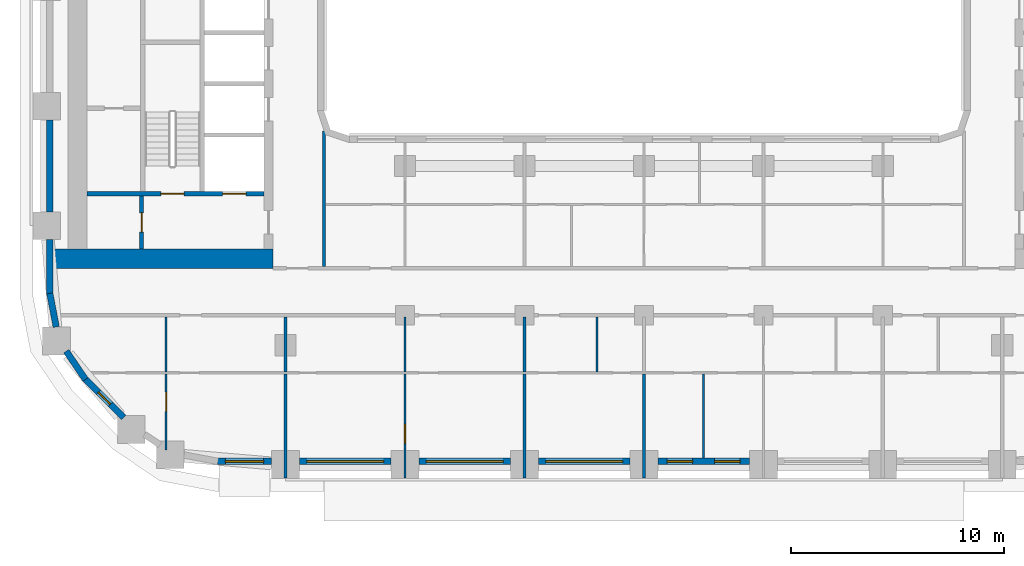
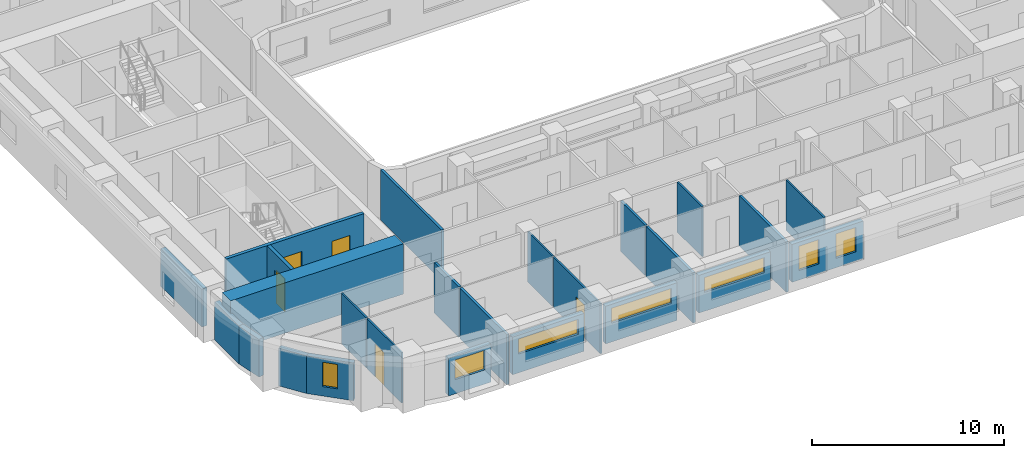
# One storey, part 2 of 21: 25 walls, 7 windows, 5 doors, 12 openings.
"""IFC4 building model written with IfcOpenShell, lengths in metres."""

from ifc_helpers import new_model, si_unit, direction, frame, frame_2d, origin, place, context, subcontext, project, spatial, rectangle, extrude, material, layer, layer_set, type_object, element, fill, save


model = new_model("IFC4")

# Units and contexts
model_context = context("Model", 3, precision=1e-05, world=origin(), true_north=direction((0.0, 1.0)))
body_context = subcontext(model_context, "Body", "Model", "MODEL_VIEW")
ifc_project = project(units=[si_unit("LENGTHUNIT", "METRE"), si_unit("AREAUNIT", "SQUARE_METRE"), si_unit("VOLUMEUNIT", "CUBIC_METRE"), si_unit("PLANEANGLEUNIT", "RADIAN"), si_unit("MASSUNIT", "GRAM", prefix="KILO")], contexts=[model_context])

# Site, building, storey
site_placement = place(None, origin())
site = spatial("IfcSite", under=ifc_project, at=site_placement, CompositionType="ELEMENT")
building_placement = place(site_placement, origin())
building = spatial("IfcBuilding", under=site, at=building_placement, Name="Kiln Ring Residences", CompositionType="ELEMENT")
storey_placement = place(building_placement, frame((0.0, 0.0, 93.800048828125)))
storey = spatial("IfcBuildingStorey", under=building, at=storey_placement, Name="L23", CompositionType="ELEMENT", Elevation=93.800048828125)

# Wall, opening, door
ifc_material_1 = material(Name="Gypsum board on steel studs", Category="steel")
ifc_layer_1 = layer(ifc_material_1, 0.199951171875)
ifc_layer_set_1 = layer_set([ifc_layer_1], Name="CORE-PARTITION-200")
wall_type_1 = type_object("IfcWallType", Name="CORE-PARTITION-200", PredefinedType="PARTITIONING", material=ifc_layer_set_1)
wall_1_placement = place(storey_placement, frame((-23.550048828125, -12.300048828125, 0.0), z_axis=(0.0, 0.0, 1.0), x_axis=(0.0, 1.0, 0.0)))
wall_1 = element("IfcWall", 1, at=wall_1_placement, inside=storey, type_object=wall_type_1, Name="Core partition west L23 4", PredefinedType="PARTITIONING", context=body_context, shape_type="SweptSolid", body=[
    extrude(rectangle(XDim=2.5, YDim=0.199951171875, at=frame_2d((1.25, 0.0))), origin(), (0.0, 0.0, 1.0), 3.199951171875),
])
opening_1_placement = place(wall_1_placement, frame((0.800048828125, 0.0, 0.0)))
opening_1 = element("IfcOpeningElement", 2, at=opening_1_placement, cuts=wall_1, Name="Opening L23-CW10", PredefinedType="OPENING", context=body_context, shape_type="SweptSolid", body=[
    extrude(rectangle(XDim=0.89990234375, YDim=2.10009765625, at=frame_2d((0.449951171875, 1.050048828125))), frame((0.0, 0.10986328125, 0.0), z_axis=(0.0, -1.0, 0.0), x_axis=(1.0, 0.0, 0.0)), (0.0, 0.0, 1.0), 0.219970703125),
])
ifc_material_2 = material(Name="Steel door leaf", Category="steel")
door_type_1 = type_object("IfcDoorType", Name="CORE-DOOR-ROOM", OperationType="SINGLE_SWING_LEFT", PredefinedType="DOOR", material=ifc_material_2)
door_1_placement = place(opening_1_placement, origin())
door_1 = element("IfcDoor", 3, at=door_1_placement, inside=storey, type_object=door_type_1, Name="Store L23-CW10", OperationType="SINGLE_SWING_RIGHT", OverallHeight=2.10009765625, OverallWidth=0.89990234375, PredefinedType="DOOR", context=body_context, shape_type="SweptSolid", body=[
    extrude(rectangle(XDim=0.89990234375, YDim=2.10009765625, at=frame_2d((0.449951171875, 1.050048828125))), frame((0.0, 0.02490234375, 0.0), z_axis=(0.0, -1.0, 0.0), x_axis=(1.0, 0.0, 0.0)), (0.0, 0.0, 1.0), 0.050048828125),
])
fill(opening_1, door_1)

# Wall, openings, doors
ifc_material_3 = material(Name="Concrete C40/50", Category="concrete")
ifc_layer_2 = layer(ifc_material_3, 0.199951171875)
ifc_layer_set_2 = layer_set([ifc_layer_2], Name="CORE-WALL-RC200")
wall_type_2 = type_object("IfcWallType", Name="CORE-WALL-RC200", PredefinedType="SHEAR", material=ifc_layer_set_2)
wall_2_placement = place(storey_placement, frame((-17.800048828125, -9.699951171875, 0.0), z_axis=(0.0, 0.0, 1.0), x_axis=(-1.0, 0.0, 0.0)))
wall_2 = element("IfcWall", 4, at=wall_2_placement, inside=storey, type_object=wall_type_2, Name="Core wall west L23 8", PredefinedType="SHEAR", context=body_context, shape_type="SweptSolid", body=[
    extrude(rectangle(XDim=8.300048828125, YDim=0.199951171875, at=frame_2d((4.14990234375, 0.0))), origin(), (0.0, 0.0, 1.0), 3.199951171875),
])
opening_2_placement = place(wall_2_placement, frame((0.85009765625, 0.0, 0.0)))
opening_2 = element("IfcOpeningElement", 5, at=opening_2_placement, cuts=wall_2, Name="Opening L23-CW01", PredefinedType="OPENING", context=body_context, shape_type="SweptSolid", body=[
    extrude(rectangle(XDim=1.10009765625, YDim=2.10009765625, at=frame_2d((0.550048828125, 1.050048828125))), frame((0.0, 0.10986328125, 0.0), z_axis=(0.0, -1.0, 0.0), x_axis=(1.0, 0.0, 0.0)), (0.0, 0.0, 1.0), 0.219970703125),
])
opening_3_placement = place(wall_2_placement, frame((3.75, 0.0, 0.0)))
opening_3 = element("IfcOpeningElement", 6, at=opening_3_placement, cuts=wall_2, Name="Opening L23-CW12", PredefinedType="OPENING", context=body_context, shape_type="SweptSolid", body=[
    extrude(rectangle(XDim=1.10009765625, YDim=2.10009765625, at=frame_2d((0.550048828125, 1.050048828125))), frame((0.0, 0.10986328125, 0.0), z_axis=(0.0, -1.0, 0.0), x_axis=(1.0, 0.0, 0.0)), (0.0, 0.0, 1.0), 0.219970703125),
])
ifc_material_4 = material(Name="Steel door leaf", Category="steel")
door_type_2 = type_object("IfcDoorType", Name="CORE-DOOR-LD", OperationType="DOUBLE_DOOR_SLIDING", PredefinedType="DOOR", material=ifc_material_4)
door_2_placement = place(opening_2_placement, origin())
door_2 = element("IfcDoor", 7, at=door_2_placement, inside=storey, type_object=door_type_2, Name="LD W-SV L23-CW01", OperationType="DOUBLE_DOOR_SLIDING", OverallHeight=2.10009765625, OverallWidth=1.10009765625, PredefinedType="DOOR", context=body_context, shape_type="SweptSolid", body=[
    extrude(rectangle(XDim=1.10009765625, YDim=2.10009765625, at=frame_2d((0.550048828125, 1.050048828125))), frame((0.0, 0.02490234375, 0.0), z_axis=(0.0, -1.0, 0.0), x_axis=(1.0, 0.0, 0.0)), (0.0, 0.0, 1.0), 0.050048828125),
])
fill(opening_2, door_2)
ifc_material_5 = material(Name="Steel door leaf", Category="steel")
door_type_3 = type_object("IfcDoorType", Name="CORE-DOOR-STAIR", OperationType="SINGLE_SWING_LEFT", PredefinedType="DOOR", material=ifc_material_5)
door_3_placement = place(opening_3_placement, origin())
door_3 = element("IfcDoor", 8, at=door_3_placement, inside=storey, type_object=door_type_3, Name="Stair W-STS L23-CW12", OperationType="SINGLE_SWING_LEFT", OverallHeight=2.10009765625, OverallWidth=1.10009765625, PredefinedType="DOOR", context=body_context, shape_type="SweptSolid", body=[
    extrude(rectangle(XDim=1.10009765625, YDim=2.10009765625, at=frame_2d((0.550048828125, 1.050048828125))), frame((0.0, 0.02490234375, 0.0), z_axis=(0.0, -1.0, 0.0), x_axis=(1.0, 0.0, 0.0)), (0.0, 0.0, 1.0), 0.050048828125),
])
fill(opening_3, door_3)

# Wall
ifc_material_6 = material(Name="Concrete C60/75", Category="concrete")
ifc_layer_3 = layer(ifc_material_6, 0.89990234375)
ifc_layer_set_3 = layer_set([ifc_layer_3], Name="CORE-WALL-RC900")
wall_type_3 = type_object("IfcWallType", Name="CORE-WALL-RC900", PredefinedType="SHEAR", material=ifc_layer_set_3)
wall_3_placement = place(storey_placement, frame((-17.39990234375, -12.75, 0.0), z_axis=(0.0, 0.0, 1.0), x_axis=(-1.0, 0.0, 0.0)))
element("IfcWall", 9, at=wall_3_placement, inside=storey, type_object=wall_type_3, Name="Core wall west L23 5", PredefinedType="SHEAR", context=body_context, shape_type="SweptSolid", body=[
    extrude(rectangle(XDim=10.400146484375, YDim=0.89990234375, at=frame_2d((5.2001953125, 0.0))), origin(), (0.0, 0.0, 1.0), 3.199951171875),
])

# Wall, opening, window
ifc_material_7 = material(Name="Brick masonry, dark clay brick", Category="masonry")
ifc_layer_4 = layer(ifc_material_7, 0.300048828125)
ifc_layer_set_4 = layer_set([ifc_layer_4], Name="EW-300 BRICK WALL")
wall_type_4 = type_object("IfcWallType", Name="EW-300 BRICK WALL", PredefinedType="SOLIDWALL", material=ifc_layer_set_4)
wall_4_placement = place(storey_placement, frame((-26.19677734375, -18.390869140625, 0.0), z_axis=(0.0, 0.0, 1.0), x_axis=(0.707058908279, -0.707154650853, 0.0)))
wall_4 = element("IfcWall", 10, at=wall_4_placement, inside=storey, type_object=wall_type_4, Name="Facade wall L23 1", PredefinedType="SOLIDWALL", context=body_context, shape_type="SweptSolid", body=[
    extrude(rectangle(XDim=2.550048828125, YDim=0.300048828125, at=frame_2d((1.27490234375, 0.0))), origin(), (0.0, 0.0, 1.0), 2.39990234375),
])
opening_4_placement = place(wall_4_placement, frame((0.875, 0.0, 0.60009765625)))
opening_4 = element("IfcOpeningElement", 11, at=opening_4_placement, cuts=wall_4, Name="Opening W5", PredefinedType="OPENING", context=body_context, shape_type="SweptSolid", body=[
    extrude(rectangle(XDim=0.800048828125, YDim=1.550048828125, at=frame_2d((0.39990234375, 0.77490234375))), frame((0.0, 0.159912109375, 0.0), z_axis=(0.0, -1.0, 0.0), x_axis=(1.0, 0.0, 0.0)), (0.0, 0.0, 1.0), 0.320068359375),
])
ifc_material_8 = material(Name="Aluminium frame with double glazing", Category="aluminium")
window_type_1 = type_object("IfcWindowType", Name="WINDOW 800 x 1550", PartitioningType="SINGLE_PANEL", PredefinedType="WINDOW", material=ifc_material_8)
window_1_placement = place(opening_4_placement, origin())
window_1 = element("IfcWindow", 12, at=window_1_placement, inside=storey, type_object=window_type_1, Name="Window L23 1", OverallHeight=1.550048828125, OverallWidth=0.800048828125, PartitioningType="SINGLE_PANEL", PredefinedType="WINDOW", context=body_context, shape_type="SweptSolid", body=[
    extrude(rectangle(XDim=0.800048828125, YDim=1.550048828125, at=frame_2d((0.39990234375, 0.77490234375))), frame((0.0, 0.030029296875, 0.0), z_axis=(0.0, -1.0, 0.0), x_axis=(1.0, 0.0, 0.0)), (0.0, 0.0, 1.0), 0.06005859375),
])
fill(opening_4, window_1)

wall_5_placement = place(storey_placement, frame((-20.0, -22.25, 0.0), z_axis=(0.0, 0.0, 1.0), x_axis=(1.0, 0.0, 0.0)))
wall_5 = element("IfcWall", 13, at=wall_5_placement, inside=storey, type_object=wall_type_4, Name="Facade wall L23 4", PredefinedType="SOLIDWALL", context=body_context, shape_type="SweptSolid", body=[
    extrude(rectangle(XDim=2.550048828125, YDim=0.300048828125, at=frame_2d((1.27490234375, 0.0))), origin(), (0.0, 0.0, 1.0), 2.39990234375),
])
opening_5_placement = place(wall_5_placement, frame((0.375, 0.0, 0.89990234375)))
opening_5 = element("IfcOpeningElement", 14, at=opening_5_placement, cuts=wall_5, Name="Opening W2", PredefinedType="OPENING", context=body_context, shape_type="SweptSolid", body=[
    extrude(rectangle(XDim=1.800048828125, YDim=1.25, at=frame_2d((0.89990234375, 0.625))), frame((0.0, 0.159912109375, 0.0), z_axis=(0.0, -1.0, 0.0), x_axis=(1.0, 0.0, 0.0)), (0.0, 0.0, 1.0), 0.320068359375),
])
ifc_material_9 = material(Name="Aluminium frame with double glazing", Category="aluminium")
window_type_2 = type_object("IfcWindowType", Name="WINDOW 1800 x 1250", PartitioningType="SINGLE_PANEL", PredefinedType="WINDOW", material=ifc_material_9)
window_2_placement = place(opening_5_placement, origin())
window_2 = element("IfcWindow", 15, at=window_2_placement, inside=storey, type_object=window_type_2, Name="Window L23 2", OverallHeight=1.25, OverallWidth=1.800048828125, PartitioningType="SINGLE_PANEL", PredefinedType="WINDOW", context=body_context, shape_type="SweptSolid", body=[
    extrude(rectangle(XDim=1.800048828125, YDim=1.25, at=frame_2d((0.89990234375, 0.625))), frame((0.0, 0.030029296875, 0.0), z_axis=(0.0, -1.0, 0.0), x_axis=(1.0, 0.0, 0.0)), (0.0, 0.0, 1.0), 0.06005859375),
])
fill(opening_5, window_2)

wall_6_placement = place(storey_placement, frame((-16.14990234375, -22.25, 0.0), z_axis=(0.0, 0.0, 1.0), x_axis=(1.0, 0.0, 0.0)))
wall_6 = element("IfcWall", 16, at=wall_6_placement, inside=storey, type_object=wall_type_4, Name="Facade wall L23 5", PredefinedType="SOLIDWALL", context=body_context, shape_type="SweptSolid", body=[
    extrude(rectangle(XDim=4.2998046875, YDim=0.300048828125, at=frame_2d((2.14990234375, 0.0))), origin(), (0.0, 0.0, 1.0), 2.39990234375),
])
opening_6_placement = place(wall_6_placement, frame((0.35009765625, 0.0, 1.199951171875)))
opening_6 = element("IfcOpeningElement", 17, at=opening_6_placement, cuts=wall_6, Name="Opening W4", PredefinedType="OPENING", context=body_context, shape_type="SweptSolid", body=[
    extrude(rectangle(XDim=3.60009765625, YDim=0.949951171875, at=frame_2d((1.800048828125, 0.47509765625))), frame((0.0, 0.159912109375, 0.0), z_axis=(0.0, -1.0, 0.0), x_axis=(1.0, 0.0, 0.0)), (0.0, 0.0, 1.0), 0.320068359375),
])
ifc_material_10 = material(Name="Aluminium frame with double glazing", Category="aluminium")
window_type_3 = type_object("IfcWindowType", Name="WINDOW 3600 x 950", PartitioningType="SINGLE_PANEL", PredefinedType="WINDOW", material=ifc_material_10)
window_3_placement = place(opening_6_placement, origin())
window_3 = element("IfcWindow", 18, at=window_3_placement, inside=storey, type_object=window_type_3, Name="Window L23 3", OverallHeight=0.949951171875, OverallWidth=3.60009765625, PartitioningType="SINGLE_PANEL", PredefinedType="WINDOW", context=body_context, shape_type="SweptSolid", body=[
    extrude(rectangle(XDim=3.60009765625, YDim=0.949951171875, at=frame_2d((1.800048828125, 0.47509765625))), frame((0.0, 0.030029296875, 0.0), z_axis=(0.0, -1.0, 0.0), x_axis=(1.0, 0.0, 0.0)), (0.0, 0.0, 1.0), 0.06005859375),
])
fill(opening_6, window_3)

wall_7_placement = place(storey_placement, frame((-10.550048828125, -22.25, 0.0), z_axis=(0.0, 0.0, 1.0), x_axis=(1.0, 0.0, 0.0)))
wall_7 = element("IfcWall", 19, at=wall_7_placement, inside=storey, type_object=wall_type_4, Name="Facade wall L23 6", PredefinedType="SOLIDWALL", context=body_context, shape_type="SweptSolid", body=[
    extrude(rectangle(XDim=4.300048828125, YDim=0.300048828125, at=frame_2d((2.14990234375, 0.0))), origin(), (0.0, 0.0, 1.0), 2.39990234375),
])
opening_7_placement = place(wall_7_placement, frame((0.35009765625, 0.0, 1.199951171875)))
opening_7 = element("IfcOpeningElement", 20, at=opening_7_placement, cuts=wall_7, Name="Opening W4", PredefinedType="OPENING", context=body_context, shape_type="SweptSolid", body=[
    extrude(rectangle(XDim=3.60009765625, YDim=0.949951171875, at=frame_2d((1.800048828125, 0.47509765625))), frame((0.0, 0.159912109375, 0.0), z_axis=(0.0, -1.0, 0.0), x_axis=(1.0, 0.0, 0.0)), (0.0, 0.0, 1.0), 0.320068359375),
])
window_4_placement = place(opening_7_placement, origin())
window_4 = element("IfcWindow", 21, at=window_4_placement, inside=storey, type_object=window_type_3, Name="Window L23 4", OverallHeight=0.949951171875, OverallWidth=3.60009765625, PartitioningType="SINGLE_PANEL", PredefinedType="WINDOW", context=body_context, shape_type="SweptSolid", body=[
    extrude(rectangle(XDim=3.60009765625, YDim=0.949951171875, at=frame_2d((1.800048828125, 0.47509765625))), frame((0.0, 0.030029296875, 0.0), z_axis=(0.0, -1.0, 0.0), x_axis=(1.0, 0.0, 0.0)), (0.0, 0.0, 1.0), 0.06005859375),
])
fill(opening_7, window_4)

wall_8_placement = place(storey_placement, frame((-4.949951171875, -22.25, 0.0), z_axis=(0.0, 0.0, 1.0), x_axis=(1.0, 0.0, 0.0)))
wall_8 = element("IfcWall", 22, at=wall_8_placement, inside=storey, type_object=wall_type_4, Name="Facade wall L23 7", PredefinedType="SOLIDWALL", context=body_context, shape_type="SweptSolid", body=[
    extrude(rectangle(XDim=4.300048828125, YDim=0.300048828125, at=frame_2d((2.14990234375, 0.0))), origin(), (0.0, 0.0, 1.0), 2.39990234375),
])
opening_8_placement = place(wall_8_placement, frame((0.35009765625, 0.0, 1.199951171875)))
opening_8 = element("IfcOpeningElement", 23, at=opening_8_placement, cuts=wall_8, Name="Opening W4", PredefinedType="OPENING", context=body_context, shape_type="SweptSolid", body=[
    extrude(rectangle(XDim=3.60009765625, YDim=0.949951171875, at=frame_2d((1.800048828125, 0.47509765625))), frame((0.0, 0.159912109375, 0.0), z_axis=(0.0, -1.0, 0.0), x_axis=(1.0, 0.0, 0.0)), (0.0, 0.0, 1.0), 0.320068359375),
])
window_5_placement = place(opening_8_placement, origin())
window_5 = element("IfcWindow", 24, at=window_5_placement, inside=storey, type_object=window_type_3, Name="Window L23 5", OverallHeight=0.949951171875, OverallWidth=3.60009765625, PartitioningType="SINGLE_PANEL", PredefinedType="WINDOW", context=body_context, shape_type="SweptSolid", body=[
    extrude(rectangle(XDim=3.60009765625, YDim=0.949951171875, at=frame_2d((1.800048828125, 0.47509765625))), frame((0.0, 0.030029296875, 0.0), z_axis=(0.0, -1.0, 0.0), x_axis=(1.0, 0.0, 0.0)), (0.0, 0.0, 1.0), 0.06005859375),
])
fill(opening_8, window_5)

# Wall, openings, windows
wall_9_placement = place(storey_placement, frame((0.64990234375, -22.25, 0.0), z_axis=(0.0, 0.0, 1.0), x_axis=(1.0, 0.0, 0.0)))
wall_9 = element("IfcWall", 25, at=wall_9_placement, inside=storey, type_object=wall_type_4, Name="Facade wall L23 8", PredefinedType="SOLIDWALL", context=body_context, shape_type="SweptSolid", body=[
    extrude(rectangle(XDim=4.300048828125, YDim=0.300048828125, at=frame_2d((2.14990234375, 0.0))), origin(), (0.0, 0.0, 1.0), 2.39990234375),
])
opening_9_placement = place(wall_9_placement, frame((0.4375, 0.0, 0.60009765625)))
opening_9 = element("IfcOpeningElement", 26, at=opening_9_placement, cuts=wall_9, Name="Opening W1", PredefinedType="OPENING", context=body_context, shape_type="SweptSolid", body=[
    extrude(rectangle(XDim=1.199951171875, YDim=1.550048828125, at=frame_2d((0.60009765625, 0.77490234375))), frame((0.0, 0.159912109375, 0.0), z_axis=(0.0, -1.0, 0.0), x_axis=(1.0, 0.0, 0.0)), (0.0, 0.0, 1.0), 0.320068359375),
])
opening_10_placement = place(wall_9_placement, frame((2.66259765625, 0.0, 0.60009765625)))
opening_10 = element("IfcOpeningElement", 27, at=opening_10_placement, cuts=wall_9, Name="Opening W1", PredefinedType="OPENING", context=body_context, shape_type="SweptSolid", body=[
    extrude(rectangle(XDim=1.199951171875, YDim=1.550048828125, at=frame_2d((0.60009765625, 0.77490234375))), frame((0.0, 0.159912109375, 0.0), z_axis=(0.0, -1.0, 0.0), x_axis=(1.0, 0.0, 0.0)), (0.0, 0.0, 1.0), 0.320068359375),
])
ifc_material_11 = material(Name="Aluminium frame with double glazing", Category="aluminium")
window_type_4 = type_object("IfcWindowType", Name="WINDOW 1200 x 1550", PartitioningType="SINGLE_PANEL", PredefinedType="WINDOW", material=ifc_material_11)
window_6_placement = place(opening_9_placement, origin())
window_6 = element("IfcWindow", 28, at=window_6_placement, inside=storey, type_object=window_type_4, Name="Window L23 6", OverallHeight=1.550048828125, OverallWidth=1.199951171875, PartitioningType="SINGLE_PANEL", PredefinedType="WINDOW", context=body_context, shape_type="SweptSolid", body=[
    extrude(rectangle(XDim=1.199951171875, YDim=1.550048828125, at=frame_2d((0.60009765625, 0.77490234375))), frame((0.0, 0.030029296875, 0.0), z_axis=(0.0, -1.0, 0.0), x_axis=(1.0, 0.0, 0.0)), (0.0, 0.0, 1.0), 0.06005859375),
])
fill(opening_9, window_6)
window_7_placement = place(opening_10_placement, origin())
window_7 = element("IfcWindow", 29, at=window_7_placement, inside=storey, type_object=window_type_4, Name="Window L23 7", OverallHeight=1.550048828125, OverallWidth=1.199951171875, PartitioningType="SINGLE_PANEL", PredefinedType="WINDOW", context=body_context, shape_type="SweptSolid", body=[
    extrude(rectangle(XDim=1.199951171875, YDim=1.550048828125, at=frame_2d((0.60009765625, 0.77490234375))), frame((0.0, 0.030029296875, 0.0), z_axis=(0.0, -1.0, 0.0), x_axis=(1.0, 0.0, 0.0)), (0.0, 0.0, 1.0), 0.06005859375),
])
fill(opening_10, window_7)

# Walls
wall_10_placement = place(storey_placement, frame((-27.85009765625, -6.25, 0.0), z_axis=(0.0, 0.0, 1.0), x_axis=(0.0, -1.0, 0.0)))
element("IfcWall", 30, at=wall_10_placement, inside=storey, type_object=wall_type_4, Name="Facade wall L23 45", PredefinedType="SOLIDWALL", context=body_context, shape_type="SweptSolid", body=[
    extrude(rectangle(XDim=4.300048828125, YDim=0.300048828125, at=frame_2d((2.14990234375, 0.0))), origin(), (0.0, 0.0, 1.0), 2.39990234375),
])
wall_11_placement = place(storey_placement, frame((-27.85009765625, -11.85009765625, 0.0), z_axis=(0.0, 0.0, 1.0), x_axis=(0.0, -1.0, 0.0)))
element("IfcWall", 31, at=wall_11_placement, inside=storey, type_object=wall_type_4, Name="Facade wall L23 46", PredefinedType="SOLIDWALL", context=body_context, shape_type="SweptSolid", body=[
    extrude(rectangle(XDim=2.5498046875, YDim=0.300048828125, at=frame_2d((1.27490234375, 0.0))), origin(), (0.0, 0.0, 1.0), 2.39990234375),
])
for number, where, z_axis, x_axis, name in (
    (32, (-27.8525390625, -14.371826171875, 0.0), (0.0, 0.0, 1.0), (0.187279751651, -0.982306619453, 0.0), "Facade wall L23 47"),
    (33, (-27.08154296875, -17.08447265625, 0.0), (0.0, 0.0, 1.0), (0.562010605531, -0.827130025613, 0.0), "Facade wall L23 48"),
):
    element("IfcWall", number, at=place(storey_placement, frame(where, z_axis=z_axis, x_axis=x_axis)), inside=storey, type_object=wall_type_4, Name=name, PredefinedType="SOLIDWALL", context=body_context, shape_type="SweptSolid", body=[
        extrude(rectangle(XDim=1.60595703125, YDim=0.300048828125, at=frame_2d((0.802978515625, 0.0))), origin(), (0.0, 0.0, 1.0), 2.39990234375),
    ])

# Wall, opening, door
ifc_material_12 = material(Name="Gypsum board on steel studs", Category="steel")
ifc_layer_5 = layer(ifc_material_12, 0.10009765625)
ifc_layer_set_5 = layer_set([ifc_layer_5], Name="PARTITION-100")
wall_type_5 = type_object("IfcWallType", Name="PARTITION-100", PredefinedType="PARTITIONING", material=ifc_layer_set_5)
wall_12_placement = place(storey_placement, frame((-22.39990234375, -21.719970703125, 0.0), z_axis=(0.0, 0.0, 1.0), x_axis=(0.0, 1.0, 0.0)))
wall_12 = element("IfcWall", 34, at=wall_12_placement, inside=storey, type_object=wall_type_5, Name="Partition 008", PredefinedType="PARTITIONING", context=body_context, shape_type="SweptSolid", body=[
    extrude(rectangle(XDim=3.570068359375, YDim=0.10009765625, at=frame_2d((1.78515625, 0.0))), origin(), (0.0, 0.0, 1.0), 3.199951171875),
])
opening_11_placement = place(wall_12_placement, frame((1.820068359375, 0.0, 0.0)))
opening_11 = element("IfcOpeningElement", 35, at=opening_11_placement, cuts=wall_12, Name="Opening L23-D060", PredefinedType="OPENING", context=body_context, shape_type="SweptSolid", body=[
    extrude(rectangle(XDim=0.89990234375, YDim=2.10009765625, at=frame_2d((0.449951171875, 1.050048828125))), frame((0.0, 0.06005859375, 0.0), z_axis=(0.0, -1.0, 0.0), x_axis=(1.0, 0.0, 0.0)), (0.0, 0.0, 1.0), 0.1201171875),
])
ifc_material_13 = material(Name="Timber door leaf", Category="wood")
door_type_4 = type_object("IfcDoorType", Name="FLAT-DOOR-900-PL", OperationType="SINGLE_SWING_LEFT", PredefinedType="DOOR", material=ifc_material_13)
door_4_placement = place(opening_11_placement, origin())
door_4 = element("IfcDoor", 36, at=door_4_placement, inside=storey, type_object=door_type_4, Name="Door L23-D060", OperationType="SINGLE_SWING_LEFT", OverallHeight=2.10009765625, OverallWidth=0.89990234375, PredefinedType="DOOR", context=body_context, shape_type="SweptSolid", body=[
    extrude(rectangle(XDim=0.89990234375, YDim=2.10009765625, at=frame_2d((0.449951171875, 1.050048828125))), frame((0.0, 0.02490234375, 0.0), z_axis=(0.0, -1.0, 0.0), x_axis=(1.0, 0.0, 0.0)), (0.0, 0.0, 1.0), 0.050048828125),
])
fill(opening_11, door_4)

# Wall
wall_13_placement = place(storey_placement, frame((-22.39990234375, -18.050048828125, 0.0), z_axis=(0.0, 0.0, 1.0), x_axis=(0.0, 1.0, 0.0)))
element("IfcWall", 37, at=wall_13_placement, inside=storey, type_object=wall_type_5, Name="Partition 009", PredefinedType="PARTITIONING", context=body_context, shape_type="SweptSolid", body=[
    extrude(rectangle(XDim=2.574951171875, YDim=0.10009765625, at=frame_2d((1.28759765625, 0.0))), origin(), (0.0, 0.0, 1.0), 3.199951171875),
])

# Wall, opening, door
wall_14_placement = place(storey_placement, frame((-11.199951171875, -23.030029296875, 0.0), z_axis=(0.0, 0.0, 1.0), x_axis=(0.0, 1.0, 0.0)))
wall_14 = element("IfcWall", 38, at=wall_14_placement, inside=storey, type_object=wall_type_5, Name="Partition 019", PredefinedType="PARTITIONING", context=body_context, shape_type="SweptSolid", body=[
    extrude(rectangle(XDim=4.880126953125, YDim=0.10009765625, at=frame_2d((2.43994140625, 0.0))), origin(), (0.0, 0.0, 1.0), 3.199951171875),
])
opening_12_placement = place(wall_14_placement, frame((1.6298828125, 0.0, 0.0)))
opening_12 = element("IfcOpeningElement", 39, at=opening_12_placement, cuts=wall_14, Name="Opening L23-D064", PredefinedType="OPENING", context=body_context, shape_type="SweptSolid", body=[
    extrude(rectangle(XDim=0.89990234375, YDim=2.10009765625, at=frame_2d((0.449951171875, 1.050048828125))), frame((0.0, 0.06005859375, 0.0), z_axis=(0.0, -1.0, 0.0), x_axis=(1.0, 0.0, 0.0)), (0.0, 0.0, 1.0), 0.1201171875),
])
door_5_placement = place(opening_12_placement, origin())
door_5 = element("IfcDoor", 40, at=door_5_placement, inside=storey, type_object=door_type_4, Name="Door L23-D064", OperationType="SINGLE_SWING_RIGHT", OverallHeight=2.10009765625, OverallWidth=0.89990234375, PredefinedType="DOOR", context=body_context, shape_type="SweptSolid", body=[
    extrude(rectangle(XDim=0.89990234375, YDim=2.10009765625, at=frame_2d((0.449951171875, 1.050048828125))), frame((0.0, 0.02490234375, 0.0), z_axis=(0.0, -1.0, 0.0), x_axis=(1.0, 0.0, 0.0)), (0.0, 0.0, 1.0), 0.050048828125),
])
fill(opening_12, door_5)

# Walls
for number, where, z_axis, x_axis, name in (
    (41, (-11.199951171875, -18.050048828125, 0.0), (0.0, 0.0, 1.0), (0.0, 1.0, 0.0), "Partition 020"),
    (42, (-2.199951171875, -18.050048828125, 0.0), (0.0, 0.0, 1.0), (0.0, 1.0, 0.0), "Partition 039"),
):
    element("IfcWall", number, at=place(storey_placement, frame(where, z_axis=z_axis, x_axis=x_axis)), inside=storey, type_object=wall_type_5, Name=name, PredefinedType="PARTITIONING", context=body_context, shape_type="SweptSolid", body=[
        extrude(rectangle(XDim=2.574951171875, YDim=0.10009765625, at=frame_2d((1.28759765625, 0.0))), origin(), (0.0, 0.0, 1.0), 3.199951171875),
    ])
wall_15_placement = place(storey_placement, frame((2.800048828125, -22.080078125, 0.0), z_axis=(0.0, 0.0, 1.0), x_axis=(0.0, 1.0, 0.0)))
element("IfcWall", 43, at=wall_15_placement, inside=storey, type_object=wall_type_5, Name="Partition 050", PredefinedType="PARTITIONING", context=body_context, shape_type="SweptSolid", body=[
    extrude(rectangle(XDim=3.93017578125, YDim=0.10009765625, at=frame_2d((1.965087890625, 0.0))), origin(), (0.0, 0.0, 1.0), 3.199951171875),
])
ifc_material_14 = material(Name="Brick masonry partition", Category="masonry")
ifc_layer_6 = layer(ifc_material_14, 0.14990234375)
ifc_layer_set_6 = layer_set([ifc_layer_6], Name="PARTITION-150-ei60")
wall_type_6 = type_object("IfcWallType", Name="PARTITION-150-ei60", PredefinedType="PARTITIONING", material=ifc_layer_set_6)
wall_16_placement = place(storey_placement, frame((-16.800048828125, -23.030029296875, 0.0), z_axis=(0.0, 0.0, 1.0), x_axis=(0.0, 1.0, 0.0)))
element("IfcWall", 44, at=wall_16_placement, inside=storey, type_object=wall_type_6, Name="Partition 012", PredefinedType="PARTITIONING", context=body_context, shape_type="SweptSolid", body=[
    extrude(rectangle(XDim=4.880126953125, YDim=0.14990234375, at=frame_2d((2.43994140625, 0.0))), origin(), (0.0, 0.0, 1.0), 3.199951171875),
])
wall_17_placement = place(storey_placement, frame((-16.800048828125, -18.050048828125, 0.0), z_axis=(0.0, 0.0, 1.0), x_axis=(0.0, 1.0, 0.0)))
element("IfcWall", 45, at=wall_17_placement, inside=storey, type_object=wall_type_6, Name="Partition 013", PredefinedType="PARTITIONING", context=body_context, shape_type="SweptSolid", body=[
    extrude(rectangle(XDim=2.574951171875, YDim=0.14990234375, at=frame_2d((1.28759765625, 0.0))), origin(), (0.0, 0.0, 1.0), 3.199951171875),
])
wall_18_placement = place(storey_placement, frame((-15.0, -13.125, 0.0), z_axis=(0.0, 0.0, 1.0), x_axis=(0.0, 1.0, 0.0)))
element("IfcWall", 46, at=wall_18_placement, inside=storey, type_object=wall_type_6, Name="Partition 016", PredefinedType="PARTITIONING", context=body_context, shape_type="SweptSolid", body=[
    extrude(rectangle(XDim=6.356201171875, YDim=0.14990234375, at=frame_2d((3.17822265625, 0.0))), origin(), (0.0, 0.0, 1.0), 3.199951171875),
])
wall_19_placement = place(storey_placement, frame((-5.60009765625, -23.030029296875, 0.0), z_axis=(0.0, 0.0, 1.0), x_axis=(0.0, 1.0, 0.0)))
element("IfcWall", 47, at=wall_19_placement, inside=storey, type_object=wall_type_6, Name="Partition 028", PredefinedType="PARTITIONING", context=body_context, shape_type="SweptSolid", body=[
    extrude(rectangle(XDim=4.880126953125, YDim=0.14990234375, at=frame_2d((2.43994140625, 0.0))), origin(), (0.0, 0.0, 1.0), 3.199951171875),
])
wall_20_placement = place(storey_placement, frame((-5.60009765625, -18.050048828125, 0.0), z_axis=(0.0, 0.0, 1.0), x_axis=(0.0, 1.0, 0.0)))
element("IfcWall", 48, at=wall_20_placement, inside=storey, type_object=wall_type_6, Name="Partition 029", PredefinedType="PARTITIONING", context=body_context, shape_type="SweptSolid", body=[
    extrude(rectangle(XDim=2.574951171875, YDim=0.14990234375, at=frame_2d((1.28759765625, 0.0))), origin(), (0.0, 0.0, 1.0), 3.199951171875),
])
wall_21_placement = place(storey_placement, frame((0.0, -23.030029296875, 0.0), z_axis=(0.0, 0.0, 1.0), x_axis=(0.0, 1.0, 0.0)))
element("IfcWall", 49, at=wall_21_placement, inside=storey, type_object=wall_type_6, Name="Partition 042", PredefinedType="PARTITIONING", context=body_context, shape_type="SweptSolid", body=[
    extrude(rectangle(XDim=4.880126953125, YDim=0.14990234375, at=frame_2d((2.43994140625, 0.0))), origin(), (0.0, 0.0, 1.0), 3.199951171875),
])

save(model, "model.ifc")
